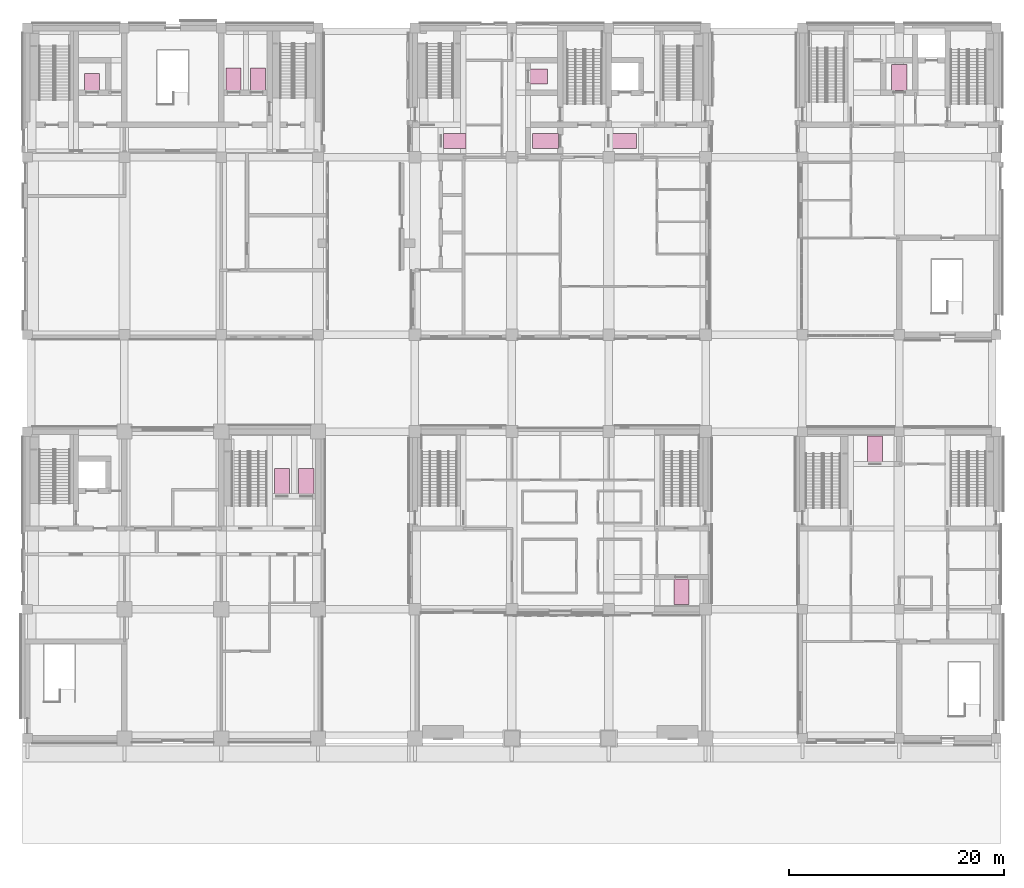
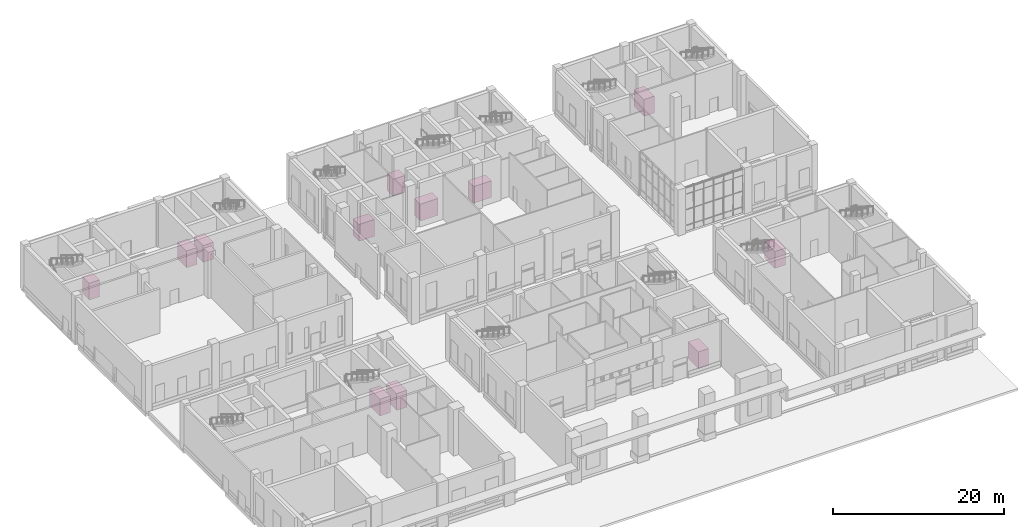
# One storey, part 35 of 35: 12 transport elements.
"""IFC4 building model written with IfcOpenShell, lengths in metres."""

import ifcopenshell
import ifcopenshell.guid

model = None  # the IFC model being written
_history = None  # IfcOwnerHistory: only IFC2X3 demands one
_inside = {}  # id of a spatial element -> (the spatial element, [elements in it])
_under = {}  # id of a project, library or spatial element -> (it, [spatial elements below it])
_declared = {}  # id of a project -> (the project, [libraries it declares])
_typed = {}  # id of a type object -> (the type object, [elements of that type])
_made_of = {}  # id of a material, layer set ... -> (it, [elements and type objects made of it])


def new_model(schema):
    """Start an empty IFC model of exactly this schema.

    Asked for "IFC4X3", IfcOpenShell would pick the latest addendum, in which some entities
    have other attributes; the version numbers below select the first issue.
    IFC2X3 requires an IfcOwnerHistory on every rooted entity: one is made here for all.
    """
    global model, _history
    if schema == "IFC4X3":
        model = ifcopenshell.file(schema_version=(4, 3, 0, 0))
    else:
        model = ifcopenshell.file(schema=schema)
    _inside.clear()
    _under.clear()
    _declared.clear()
    _typed.clear()
    _made_of.clear()
    _history = None
    if model.schema == "IFC2X3":
        org = make("IfcOrganization", Name="unknown")
        user = make(
            "IfcPersonAndOrganization",
            ThePerson=make("IfcPerson", FamilyName="unknown"),
            TheOrganization=org,
        )
        app = make(
            "IfcApplication",
            ApplicationDeveloper=org,
            Version="unknown",
            ApplicationFullName="unknown",
            ApplicationIdentifier="unknown",
        )
        _history = make(
            "IfcOwnerHistory",
            OwningUser=user,
            OwningApplication=app,
            ChangeAction="ADDED",
            CreationDate=0,
        )
    return model


def make(cls, **values):
    """One entity of the class cls with the attributes given. An attribute that is None is left unset."""
    return model.create_entity(
        cls, **{name: value for name, value in values.items() if value is not None}
    )


def rooted(cls, **values):
    """An entity with a GlobalId (a new one), such as an element, a storey or a relation."""
    return make(cls, GlobalId=ifcopenshell.guid.new(), OwnerHistory=_history, **values)


def si_unit(unit_type, name, prefix=None):
    """IfcSIUnit, for example si_unit("LENGTHUNIT", "METRE", prefix="MILLI")."""
    return make("IfcSIUnit", UnitType=unit_type, Prefix=prefix, Name=name)


def assignment(units):
    """IfcUnitAssignment: the units of a project."""
    return None if units is None else make("IfcUnitAssignment", Units=units)


def point(xyz):
    """IfcCartesianPoint."""
    return None if xyz is None else make("IfcCartesianPoint", Coordinates=xyz)


def direction(xyz):
    """IfcDirection."""
    return None if xyz is None else make("IfcDirection", DirectionRatios=xyz)


def frame(location, z_axis=None, x_axis=None):
    """IfcAxis2Placement3D, a coordinate frame: its origin and axes. An axis left out is left unset."""
    return make(
        "IfcAxis2Placement3D",
        Location=point(location),
        Axis=direction(z_axis),
        RefDirection=direction(x_axis),
    )


def frame_2d(location, x_axis=None):
    """IfcAxis2Placement2D, a coordinate frame in the plane: its origin and x axis."""
    return make(
        "IfcAxis2Placement2D", Location=point(location), RefDirection=direction(x_axis)
    )


def origin():
    """The frame at (0, 0, 0) with its axes left unset."""
    return frame((0.0, 0.0, 0.0))


def origin_2d():
    """The frame at (0, 0) in the plane with its x axis left unset."""
    return frame_2d((0.0, 0.0))


def place(relative_to, where):
    """IfcLocalPlacement: puts the frame where relative to a parent placement (None: the world)."""
    return make(
        "IfcLocalPlacement", PlacementRelTo=relative_to, RelativePlacement=where
    )


def context(
    kind, dimensions, precision=None, world=None, true_north=None, identifier=None
):
    """IfcGeometricRepresentationContext, for example the 3D "Model" context."""
    return make(
        "IfcGeometricRepresentationContext",
        ContextIdentifier=identifier,
        ContextType=kind,
        CoordinateSpaceDimension=dimensions,
        Precision=precision,
        WorldCoordinateSystem=world,
        TrueNorth=true_north,
    )


def subcontext(parent, identifier, kind, view, scale=None):
    """IfcGeometricRepresentationSubContext, for example "Body" below "Model"."""
    return make(
        "IfcGeometricRepresentationSubContext",
        ContextIdentifier=identifier,
        ContextType=kind,
        ParentContext=parent,
        TargetScale=scale,
        TargetView=view,
    )


def project(units=None, contexts=None):
    """IfcProject with its units and contexts."""
    return rooted(
        "IfcProject",
        Name="project",
        RepresentationContexts=contexts,
        UnitsInContext=assignment(units),
    )


def spatial(cls, under=None, at=None, **own):
    """A site, building, storey or space (cls), placed at a placement, below another one or the project."""
    s = rooted(cls, ObjectPlacement=at, **own)
    if under is not None:
        _under.setdefault(under.id(), (under, []))[1].append(s)
    return s


def profile(cls, at=None, kind="AREA", **sizes):
    """A parametric profile (cls). Its sizes go by their IFC names, for example OverallWidth=200.0."""
    return make(cls, ProfileType=kind, Position=at, **sizes)


def rectangle(**sizes):
    """IfcRectangleProfileDef."""
    return profile("IfcRectangleProfileDef", **sizes)


def extrude(swept, where, along, depth):
    """IfcExtrudedAreaSolid: the profile swept, set in the frame where, extruded along a direction by depth."""
    return make(
        "IfcExtrudedAreaSolid",
        SweptArea=swept,
        Position=where,
        ExtrudedDirection=direction(along),
        Depth=depth,
    )


def shape(context_of_items, identifier, shape_type, items):
    """IfcShapeRepresentation: the items that make up one representation, for example the "Body"."""
    return make(
        "IfcShapeRepresentation",
        ContextOfItems=context_of_items,
        RepresentationIdentifier=identifier,
        RepresentationType=shape_type,
        Items=items,
    )


def material(Name=None, Category=None):
    """IfcMaterial."""
    return make("IfcMaterial", Name=Name, Category=Category)


def made_of(thing, what):
    """Note that an element or type object is made of a material, layer set ...; save() writes the relation."""
    if what is not None:
        _made_of.setdefault(what.id(), (what, []))[1].append(thing)
    return thing


def type_object(cls, material=None, **own):
    """A type object (cls), such as IfcWallType, which elements share."""
    return made_of(rooted(cls, **own), material)


def element(
    cls,
    number,
    at=None,
    inside=None,
    cuts=None,
    type_object=None,
    material=None,
    context=None,
    identifier="Body",
    shape_type=None,
    held_by="IfcProductDefinitionShape",
    body=None,
    shapes=None,
    **own,
):
    """One element of the class cls, such as IfcWall. Its Tag is "e" and its number.

    at: its placement. inside: the storey or other place that contains it. cuts: it is an
    opening in that element (IfcRelVoidsElement). A single representation is given by context,
    identifier, shape_type and body (its items); several are given by shapes. held_by: the class
    of the entity that holds the representations. save() writes the other relations.
    """
    e = rooted(cls, Tag="e%d" % number, ObjectPlacement=at, **own)
    if body is not None:
        shapes = [shape(context, identifier, shape_type, body)]
    if shapes is not None:
        e.Representation = make(held_by, Representations=shapes)
    if inside is not None:
        _inside.setdefault(inside.id(), (inside, []))[1].append(e)
    if cuts is not None:
        rooted(
            "IfcRelVoidsElement", RelatingBuildingElement=cuts, RelatedOpeningElement=e
        )
    if type_object is not None:
        _typed.setdefault(type_object.id(), (type_object, []))[1].append(e)
    return made_of(e, material)


def aggregate(whole, parts):
    """IfcRelAggregates: a whole, such as a stair, and the parts it consists of."""
    return rooted("IfcRelAggregates", RelatingObject=whole, RelatedObjects=parts)


def save(model, path):
    """Write the relations noted so far, then the file.

    IfcRelAggregates (storeys below a building ...), IfcRelContainedInSpatialStructure (elements
    in a storey), IfcRelDefinesByType, IfcRelAssociatesMaterial and IfcRelDeclares: one each for
    every whole, place, type object, material and project.
    """
    for whole, parts in _under.values():
        aggregate(whole, parts)
    for where, things in _inside.values():
        rooted(
            "IfcRelContainedInSpatialStructure",
            RelatedElements=things,
            RelatingStructure=where,
        )
    for kind, things in _typed.values():
        rooted("IfcRelDefinesByType", RelatedObjects=things, RelatingType=kind)
    for what, things in _made_of.values():
        rooted("IfcRelAssociatesMaterial", RelatedObjects=things, RelatingMaterial=what)
    for by, libraries in _declared.values():
        rooted("IfcRelDeclares", RelatingContext=by, RelatedDefinitions=libraries)
    model.write(path)


model = new_model("IFC4")

# Units and contexts
model_context = context("Model", 3, precision=1e-05, world=origin(), true_north=direction((0.0, 1.0)))
body_context = subcontext(model_context, "Body", "Model", "MODEL_VIEW")
ifc_project = project(units=[si_unit("LENGTHUNIT", "METRE"), si_unit("AREAUNIT", "SQUARE_METRE"), si_unit("VOLUMEUNIT", "CUBIC_METRE"), si_unit("PLANEANGLEUNIT", "RADIAN"), si_unit("MASSUNIT", "GRAM", prefix="KILO")], contexts=[model_context])

# Site, building, storey
site_placement = place(None, origin())
site = spatial("IfcSite", under=ifc_project, at=site_placement, CompositionType="ELEMENT")
building_placement = place(site_placement, origin())
building = spatial("IfcBuilding", under=site, at=building_placement, Name="Aurelan Courthouse", CompositionType="ELEMENT")
storey_placement = place(building_placement, origin())
storey = spatial("IfcBuildingStorey", under=building, at=storey_placement, Name="L00", CompositionType="ELEMENT", Elevation=0.0)

# Transport elements
ifc_material = material(Name="Steel", Category="steel")
transport_element_type_1 = type_object("IfcTransportElementType", Name="Passenger lift car 1400 x 1600 1275 kg", PredefinedType="ELEVATOR", material=ifc_material)
transport_element_1_placement = place(storey_placement, frame((47.5, 61.5, 0.0), z_axis=(0.0, 0.0, 1.0), x_axis=(1.0, 0.0, 0.0)))
element("IfcTransportElement", 1, at=transport_element_1_placement, inside=storey, type_object=transport_element_type_1, Name="Lift V2-J1", PredefinedType="ELEVATOR", context=body_context, shape_type="SweptSolid", body=[
    extrude(rectangle(XDim=1.60009765625, YDim=1.39990234375, at=origin_2d()), origin(), (0.0, 0.0, 1.0), 2.39990234375),
])
transport_element_2_placement = place(storey_placement, frame((6.0, 61.0, 0.0), z_axis=(0.0, 0.0, 1.0), x_axis=(1.0, 0.0, 0.0)))
element("IfcTransportElement", 2, at=transport_element_2_placement, inside=storey, type_object=transport_element_type_1, Name="Lift V6-S1", PredefinedType="ELEVATOR", context=body_context, shape_type="SweptSolid", body=[
    extrude(rectangle(XDim=1.39990234375, YDim=1.60009765625, at=origin_2d()), origin(), (0.0, 0.0, 1.0), 2.39990234375),
])
transport_element_type_2 = type_object("IfcTransportElementType", Name="Passenger lift car 1400 x 2100 1600 kg", PredefinedType="ELEVATOR", material=ifc_material)
transport_element_3_placement = place(storey_placement, frame((39.699951171875, 55.5, 0.0), z_axis=(0.0, 0.0, 1.0), x_axis=(1.0, 0.0, 0.0)))
element("IfcTransportElement", 3, at=transport_element_3_placement, inside=storey, type_object=transport_element_type_2, Name="Lift V2-C1", PredefinedType="ELEVATOR", context=body_context, shape_type="SweptSolid", body=[
    extrude(rectangle(XDim=2.10009765625, YDim=1.39990234375, at=origin_2d()), origin(), (0.0, 0.0, 1.0), 2.39990234375),
])
for number, where, z_axis, x_axis, name in (
    (4, (19.14990234375, 61.25, 0.0), (0.0, 0.0, 1.0), (1.0, 0.0, 0.0), "Lift V6-C1"),
    (5, (21.39990234375, 61.25, 0.0), (0.0, 0.0, 1.0), (1.0, 0.0, 0.0), "Lift V6-C2"),
):
    element("IfcTransportElement", number, at=place(storey_placement, frame(where, z_axis=z_axis, x_axis=x_axis)), inside=storey, type_object=transport_element_type_2, Name=name, PredefinedType="ELEVATOR", context=body_context, shape_type="SweptSolid", body=[
        extrude(rectangle(XDim=1.39990234375, YDim=2.10009765625, at=origin_2d()), origin(), (0.0, 0.0, 1.0), 2.39990234375),
    ])
transport_element_type_3 = type_object("IfcTransportElementType", Name="Passenger lift car 1400 x 2400 1600 kg", PredefinedType="ELEVATOR", material=ifc_material)
transport_element_4_placement = place(storey_placement, frame((60.75, 13.625, 0.0), z_axis=(0.0, 0.0, 1.0), x_axis=(1.0, 0.0, 0.0)))
element("IfcTransportElement", 6, at=transport_element_4_placement, inside=storey, type_object=transport_element_type_3, Name="Lift V1-A1", PredefinedType="ELEVATOR", context=body_context, shape_type="SweptSolid", body=[
    extrude(rectangle(XDim=1.39990234375, YDim=2.39990234375, at=origin_2d()), origin(), (0.0, 0.0, 1.0), 2.39990234375),
])
for number, where, z_axis, x_axis, name in (
    (7, (48.125, 55.5, 0.0), (0.0, 0.0, 1.0), (1.0, 0.0, 0.0), "Lift V2-P1"),
    (8, (55.362548828125, 55.5, 0.0), (0.0, 0.0, 1.0), (1.0, 0.0, 0.0), "Lift V2-P2"),
):
    element("IfcTransportElement", number, at=place(storey_placement, frame(where, z_axis=z_axis, x_axis=x_axis)), inside=storey, type_object=transport_element_type_3, Name=name, PredefinedType="ELEVATOR", context=body_context, shape_type="SweptSolid", body=[
        extrude(rectangle(XDim=2.39990234375, YDim=1.39990234375, at=origin_2d()), origin(), (0.0, 0.0, 1.0), 2.39990234375),
    ])
for number, where, z_axis, x_axis, name in (
    (9, (81.0, 61.39990234375, 0.0), (0.0, 0.0, 1.0), (1.0, 0.0, 0.0), "Lift V3-P1"),
    (10, (78.75, 26.875, 0.0), (0.0, 0.0, 1.0), (1.0, 0.0, 0.0), "Lift V4-A1"),
    (11, (23.64990234375, 23.89990234375, 0.0), (0.0, 0.0, 1.0), (1.0, 0.0, 0.0), "Lift V5-P1"),
    (12, (25.89990234375, 23.89990234375, 0.0), (0.0, 0.0, 1.0), (1.0, 0.0, 0.0), "Lift V5-P2"),
):
    element("IfcTransportElement", number, at=place(storey_placement, frame(where, z_axis=z_axis, x_axis=x_axis)), inside=storey, type_object=transport_element_type_3, Name=name, PredefinedType="ELEVATOR", context=body_context, shape_type="SweptSolid", body=[
        extrude(rectangle(XDim=1.39990234375, YDim=2.39990234375, at=origin_2d()), origin(), (0.0, 0.0, 1.0), 2.39990234375),
    ])

save(model, "model.ifc")
